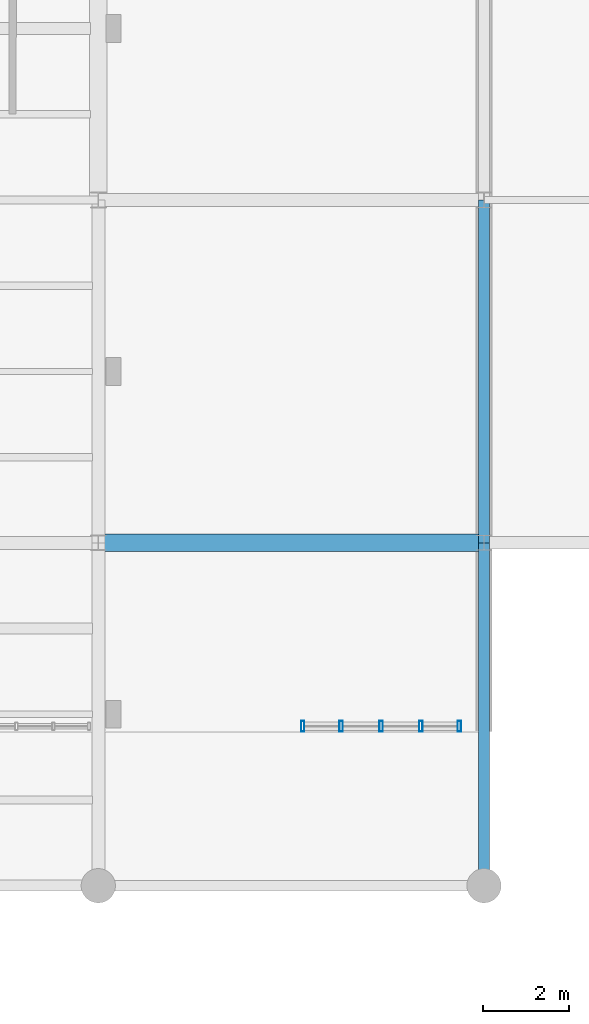
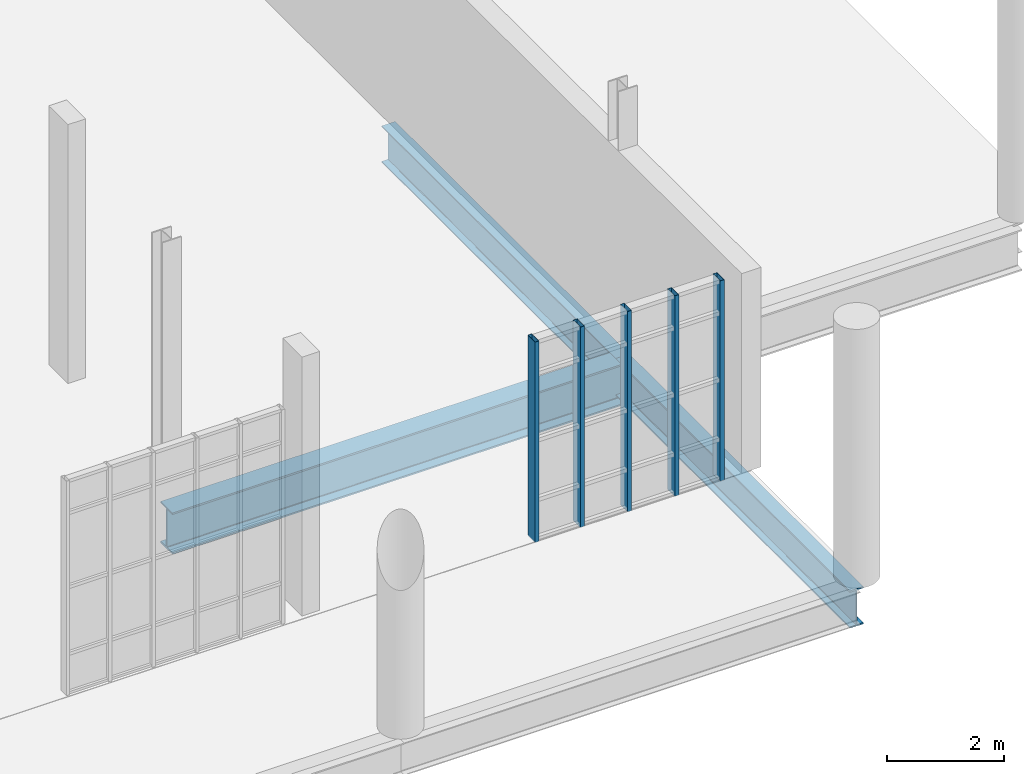
# One storey, part 106 of 189: 5 members, 3 beams, 1 element without a shape of its own.
"""IFC4 building model written with IfcOpenShell, lengths in metres."""

from ifc_helpers import new_model, si_unit, direction, frame, origin, origin_2d, place, context, subcontext, project, spatial, hollow_rectangle, i_section, extrude, material, layer, layer_set, material_profile, profile_set, type_object, element, aggregate, save


model = new_model("IFC4")

# Units and contexts
model_context = context("Model", 3, precision=1e-05, world=origin(), true_north=direction((0.0, 1.0)))
body_context = subcontext(model_context, "Body", "Model", "MODEL_VIEW")
ifc_project = project(units=[si_unit("LENGTHUNIT", "METRE"), si_unit("AREAUNIT", "SQUARE_METRE"), si_unit("VOLUMEUNIT", "CUBIC_METRE"), si_unit("PLANEANGLEUNIT", "RADIAN"), si_unit("MASSUNIT", "GRAM", prefix="KILO"), si_unit("THERMODYNAMICTEMPERATUREUNIT", "KELVIN"), si_unit("POWERUNIT", "WATT")], contexts=[model_context])

# Site, building, storey
site_placement = place(None, origin())
site = spatial("IfcSite", under=ifc_project, at=site_placement, CompositionType="ELEMENT")
building_placement = place(site_placement, origin())
building = spatial("IfcBuilding", under=site, at=building_placement, Name="Zelmaris Science Centre", CompositionType="ELEMENT")
storey_placement = place(building_placement, origin())
storey = spatial("IfcBuildingStorey", under=building, at=storey_placement, Name="L00", CompositionType="ELEMENT", Elevation=0.0)

# Curtain wall, members
ifc_material_1 = material(Name="Anodised architectural aluminium 6063-T6", Category="aluminium")
ifc_layer = layer(ifc_material_1, 0.18994140625, Name="Anodised architectural aluminium 6063-T6")
ifc_layer_set = layer_set([ifc_layer], Name="Anodised architectural aluminium 6063-T6")
curtain_wall_type = type_object("IfcCurtainWallType", Name="Curtain Wall CW-01", PredefinedType="USERDEFINED", material=ifc_layer_set)
curtain_wall_placement = place(storey_placement, origin())
curtain_wall = element("IfcCurtainWall", 1, at=curtain_wall_placement, inside=storey, type_object=curtain_wall_type, Name="L00 Unitised curtain wall 101", ObjectType="GLAZED CURTAIN WALL", PredefinedType="USERDEFINED")
ifc_material_profile_1 = material_profile(ifc_material_1, hollow_rectangle(XDim=0.080078125, YDim=0.25, WallThickness=0.0048828125, at=origin_2d()), Name="ALU-MUL-80X250")
ifc_profile_set_1 = profile_set([ifc_material_profile_1], Name="Anodised architectural aluminium 6063-T6")
member_type = type_object("IfcMemberType", Name="ALU-MUL-80X250", PredefinedType="MULLION", material=ifc_profile_set_1)
member_1_placement = place(storey_placement, frame((152.423828125, 11.72021484375, -0.014892578125), z_axis=(0.0, 0.0, 1.0), x_axis=(-1.0, 0.0, 0.0)))
member_1 = element("IfcMember", 2, at=member_1_placement, type_object=member_type, Name="CW-01 mullion 1", PredefinedType="MULLION", context=body_context, shape_type="SweptSolid", body=[
    extrude(hollow_rectangle(XDim=0.080078125, YDim=0.25, WallThickness=0.0048828125, at=origin_2d()), origin(), (0.0, 0.0, 1.0), 4.180908203125),
])
member_2_placement = place(storey_placement, frame((151.528564453125, 11.72021484375, -0.014892578125), z_axis=(0.0, 0.0, 1.0), x_axis=(-1.0, 0.0, 0.0)))
member_2 = element("IfcMember", 3, at=member_2_placement, type_object=member_type, Name="CW-01 mullion 2", PredefinedType="MULLION", context=body_context, shape_type="SweptSolid", body=[
    extrude(hollow_rectangle(XDim=0.080078125, YDim=0.25, WallThickness=0.0048828125, at=origin_2d()), origin(), (0.0, 0.0, 1.0), 4.180908203125),
])
member_3_placement = place(storey_placement, frame((150.597412109375, 11.72021484375, -0.014892578125), z_axis=(0.0, 0.0, 1.0), x_axis=(-1.0, 0.0, 0.0)))
member_3 = element("IfcMember", 4, at=member_3_placement, type_object=member_type, Name="CW-01 mullion 3", PredefinedType="MULLION", context=body_context, shape_type="SweptSolid", body=[
    extrude(hollow_rectangle(XDim=0.080078125, YDim=0.25, WallThickness=0.0048828125, at=origin_2d()), origin(), (0.0, 0.0, 1.0), 4.180908203125),
])
member_4_placement = place(storey_placement, frame((149.666259765625, 11.72021484375, -0.014892578125), z_axis=(0.0, 0.0, 1.0), x_axis=(-1.0, 0.0, 0.0)))
member_4 = element("IfcMember", 5, at=member_4_placement, type_object=member_type, Name="CW-01 mullion 4", PredefinedType="MULLION", context=body_context, shape_type="SweptSolid", body=[
    extrude(hollow_rectangle(XDim=0.080078125, YDim=0.25, WallThickness=0.0048828125, at=origin_2d()), origin(), (0.0, 0.0, 1.0), 4.180908203125),
])
member_5_placement = place(storey_placement, frame((148.77099609375, 11.72021484375, -0.014892578125), z_axis=(0.0, 0.0, 1.0), x_axis=(-1.0, 0.0, 0.0)))
member_5 = element("IfcMember", 6, at=member_5_placement, type_object=member_type, Name="CW-01 mullion 5", PredefinedType="MULLION", context=body_context, shape_type="SweptSolid", body=[
    extrude(hollow_rectangle(XDim=0.080078125, YDim=0.25, WallThickness=0.0048828125, at=origin_2d()), origin(), (0.0, 0.0, 1.0), 4.180908203125),
])
aggregate(curtain_wall, [member_1, member_2, member_3, member_4, member_5])

# Beams
ifc_material_2 = material(Name="Steel ASTM A992 Grade 50", Category="steel")
ifc_material_profile_2 = material_profile(ifc_material_2, i_section(OverallWidth=0.404052734375, OverallDepth=0.861083984375, WebThickness=0.019775390625, FlangeThickness=0.032470703125, FilletRadius=0.02001953125, at=origin_2d()), Name="W33X221")
ifc_profile_set_2 = profile_set([ifc_material_profile_2], Name="Steel ASTM A992 Grade 50")
beam_type_1 = type_object("IfcBeamType", Name="Beam G-28 W33X221", PredefinedType="BEAM", material=ifc_profile_set_2)
beam_1_placement = place(storey_placement, frame((144.0, 16.0, -0.720458984375), z_axis=(1.0, 0.0, 0.0), x_axis=(0.0, 1.0, 0.0)))
element("IfcBeam", 7, at=beam_1_placement, inside=storey, type_object=beam_type_1, Name="L00 East-west girder 110", PredefinedType="BEAM", context=body_context, shape_type="SweptSolid", body=[
    extrude(i_section(OverallWidth=0.404052734375, OverallDepth=0.861083984375, WebThickness=0.019775390625, FlangeThickness=0.032470703125, FilletRadius=0.02001953125, at=origin_2d()), origin(), (0.0, 0.0, 1.0), 9.0),
])
ifc_material_profile_3 = material_profile(ifc_material_2, i_section(OverallWidth=0.26708984375, OverallDepth=0.780029296875, WebThickness=0.0166015625, FlangeThickness=0.030029296875, FilletRadius=0.01904296875, at=origin_2d()), Name="W30X148")
ifc_profile_set_3 = profile_set([ifc_material_profile_3], Name="Steel ASTM A992 Grade 50")
beam_type_2 = type_object("IfcBeamType", Name="Beam G-32 W30X148", PredefinedType="BEAM", material=ifc_profile_set_3)
beam_2_placement = place(storey_placement, frame((153.0, 8.0, -0.679931640625), z_axis=(0.0, 1.0, 0.0), x_axis=(-1.0, 0.0, 0.0)))
element("IfcBeam", 8, at=beam_2_placement, inside=storey, type_object=beam_type_2, Name="L00 North-south girder 83", PredefinedType="BEAM", context=body_context, shape_type="SweptSolid", body=[
    extrude(i_section(OverallWidth=0.26708984375, OverallDepth=0.780029296875, WebThickness=0.0166015625, FlangeThickness=0.030029296875, FilletRadius=0.01904296875, at=origin_2d()), origin(), (0.0, 0.0, 1.0), 8.0),
])
ifc_material_profile_4 = material_profile(ifc_material_2, i_section(OverallWidth=0.26708984375, OverallDepth=0.761962890625, WebThickness=0.014404296875, FlangeThickness=0.021484375, FilletRadius=0.01904296875, at=origin_2d()), Name="W30X116")
ifc_profile_set_4 = profile_set([ifc_material_profile_4], Name="Steel ASTM A992 Grade 50")
beam_type_3 = type_object("IfcBeamType", Name="Beam G-33 W30X116", PredefinedType="BEAM", material=ifc_profile_set_4)
beam_3_placement = place(storey_placement, frame((153.0, 16.0, -0.6708984375), z_axis=(0.0, 1.0, 0.0), x_axis=(-1.0, 0.0, 0.0)))
element("IfcBeam", 9, at=beam_3_placement, inside=storey, type_object=beam_type_3, Name="L00 North-south girder 84", PredefinedType="BEAM", context=body_context, shape_type="SweptSolid", body=[
    extrude(i_section(OverallWidth=0.26708984375, OverallDepth=0.761962890625, WebThickness=0.014404296875, FlangeThickness=0.021484375, FilletRadius=0.01904296875, at=origin_2d()), origin(), (0.0, 0.0, 1.0), 8.0),
])

save(model, "model.ifc")
